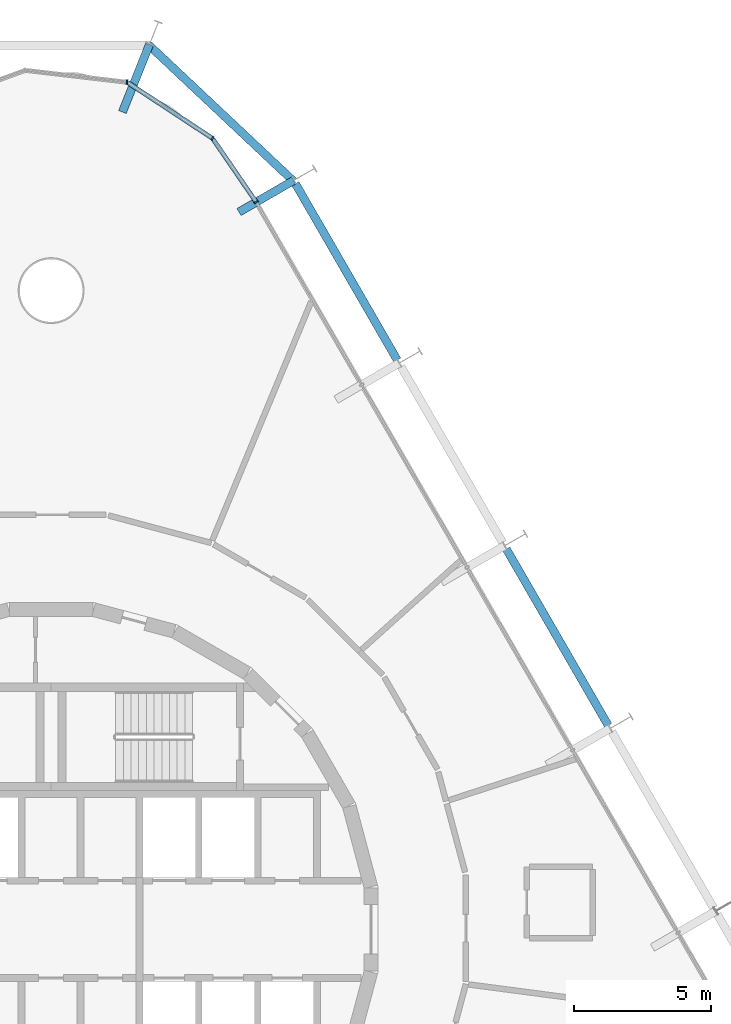
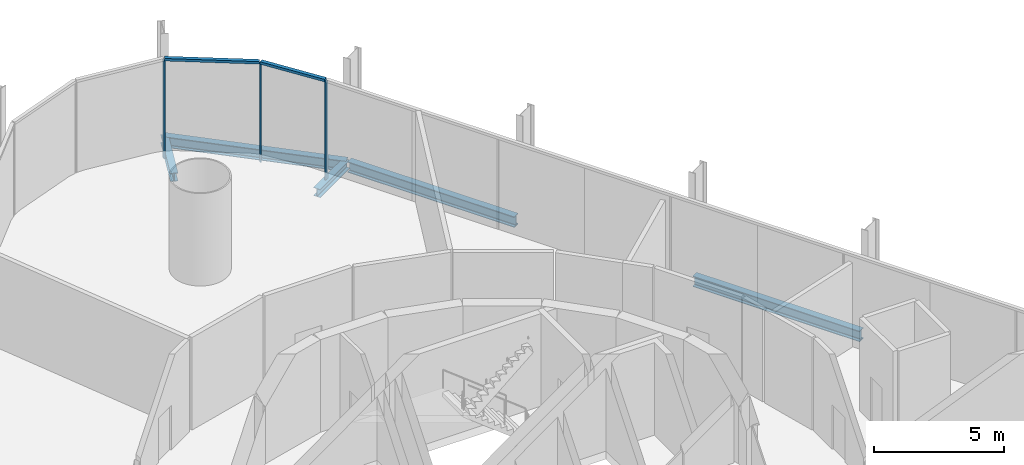
# One storey, part 11 of 17: 5 beams, 5 members, 1 element without a shape of its own.
"""IFC4 building model written with IfcOpenShell, lengths in metres."""

from ifc_helpers import new_model, si_unit, direction, frame, origin, origin_2d, place, context, subcontext, project, spatial, rectangle, i_section, extrude, material, layer, layer_set, material_profile, profile_set, type_object, element, aggregate, save


model = new_model("IFC4")

# Units and contexts
model_context = context("Model", 3, precision=1e-05, world=origin(), true_north=direction((0.0, 1.0)))
body_context = subcontext(model_context, "Body", "Model", "MODEL_VIEW")
ifc_project = project(units=[si_unit("LENGTHUNIT", "METRE"), si_unit("AREAUNIT", "SQUARE_METRE"), si_unit("VOLUMEUNIT", "CUBIC_METRE"), si_unit("PLANEANGLEUNIT", "RADIAN"), si_unit("MASSUNIT", "GRAM", prefix="KILO")], contexts=[model_context])

# Site, building, storey
site_placement = place(None, origin())
site = spatial("IfcSite", under=ifc_project, at=site_placement, CompositionType="ELEMENT")
building_placement = place(site_placement, origin())
building = spatial("IfcBuilding", under=site, at=building_placement, Name="Spindle Arch Residences", CompositionType="ELEMENT")
storey_placement = place(building_placement, frame((0.0, 0.0, 28.199951171875)))
storey = spatial("IfcBuildingStorey", under=building, at=storey_placement, Name="L05", CompositionType="ELEMENT", Elevation=28.199951171875)

# Curtain wall, members
ifc_material_1 = material(Name="Aluminium bronze unitised frame with tinted glass", Category="aluminium")
ifc_layer = layer(ifc_material_1, 0.159912109375)
ifc_layer_set = layer_set([ifc_layer], Name="CW-D corner wall on the fillet arcs")
curtain_wall_type = type_object("IfcCurtainWallType", Name="CW-D corner wall on the fillet arcs", PredefinedType="NOTDEFINED", material=ifc_layer_set)
curtain_wall_placement = place(storey_placement, origin())
curtain_wall = element("IfcCurtainWall", 1, at=curtain_wall_placement, inside=storey, type_object=curtain_wall_type, Name="CW-D L05 run 3", PredefinedType="NOTDEFINED")
ifc_material_2 = material(Name="Aluminium bronze anodised mullion", Category="aluminium")
ifc_material_profile_1 = material_profile(ifc_material_2, rectangle(XDim=0.159912109375, YDim=0.06005859375, at=origin_2d()), Name="MU 60x160")
ifc_profile_set_1 = profile_set([ifc_material_profile_1], Name="Aluminium bronze anodised mullion")
member_type_1 = type_object("IfcMemberType", Name="Bronze mullion 60x160", PredefinedType="MULLION", material=ifc_profile_set_1)
member_1_placement = place(storey_placement, frame((7.46923828125, 26.48291015625, -0.3798828125), z_axis=(0.0, 0.0, 1.0), x_axis=(-0.824747802142, -0.565500718711, 0.0)))
member_1 = element("IfcMember", 2, at=member_1_placement, type_object=member_type_1, Name="CW-D mullion 00", PredefinedType="MULLION", context=body_context, shape_type="SweptSolid", body=[
    extrude(rectangle(XDim=0.159912109375, YDim=0.06005859375, at=origin_2d()), origin(), (0.0, 0.0, 1.0), 4.60986328125),
])
member_2_placement = place(storey_placement, frame((5.877197265625, 28.8046875, -0.3798828125), z_axis=(0.0, 0.0, 1.0), x_axis=(-0.549508977628, -0.835487811704, 0.0)))
member_2 = element("IfcMember", 3, at=member_2_placement, type_object=member_type_1, Name="CW-D mullion 01", PredefinedType="MULLION", context=body_context, shape_type="SweptSolid", body=[
    extrude(rectangle(XDim=0.159912109375, YDim=0.06005859375, at=origin_2d()), origin(), (0.0, 0.0, 1.0), 4.60986328125),
])
member_3_placement = place(storey_placement, frame((2.763427734375, 30.8525390625, -0.3798828125), z_axis=(0.0, 0.0, 1.0), x_axis=(-0.116092915414, -0.993238357591, 0.0)))
member_3 = element("IfcMember", 4, at=member_3_placement, type_object=member_type_1, Name="CW-D mullion 02", PredefinedType="MULLION", context=body_context, shape_type="SweptSolid", body=[
    extrude(rectangle(XDim=0.159912109375, YDim=0.06005859375, at=origin_2d()), origin(), (0.0, 0.0, 1.0), 4.60986328125),
])
ifc_material_3 = material(Name="Aluminium bronze anodised transom", Category="aluminium")
ifc_material_profile_2 = material_profile(ifc_material_3, rectangle(XDim=0.159912109375, YDim=0.1201171875, at=origin_2d()), Name="TR 120x160")
ifc_profile_set_2 = profile_set([ifc_material_profile_2], Name="Aluminium bronze anodised transom")
member_type_2 = type_object("IfcMemberType", Name="Bronze transom 120x160", PredefinedType="USERDEFINED", material=ifc_profile_set_2)
member_4_placement = place(storey_placement, frame((7.4521484375, 26.507568359375, 4.2900390625), z_axis=(-0.565490471855, 0.824754827958, 0.0), x_axis=(-0.824754827958, -0.565490471855, 0.0)))
member_4 = element("IfcMember", 5, at=member_4_placement, type_object=member_type_2, Name="CW-D transom 00", ObjectType="TRANSOM", PredefinedType="USERDEFINED", context=body_context, shape_type="SweptSolid", body=[
    extrude(rectangle(XDim=0.159912109375, YDim=0.1201171875, at=origin_2d()), origin(), (0.0, 0.0, 1.0), 2.75537109375),
])
member_5_placement = place(storey_placement, frame((5.85205078125, 28.821044921875, 4.2900390625), z_axis=(-0.835486265536, 0.549511328456, 0.0), x_axis=(-0.549511328456, -0.835486265536, 0.0)))
member_5 = element("IfcMember", 6, at=member_5_placement, type_object=member_type_2, Name="CW-D transom 01", ObjectType="TRANSOM", PredefinedType="USERDEFINED", context=body_context, shape_type="SweptSolid", body=[
    extrude(rectangle(XDim=0.159912109375, YDim=0.1201171875, at=origin_2d()), origin(), (0.0, 0.0, 1.0), 3.666748046875),
])
aggregate(curtain_wall, [member_1, member_4, member_2, member_5, member_3])

# Beams
ifc_material_4 = material(Name="Steel S460ML, intumescent coating R 120", Category="steel")
ifc_material_profile_3 = material_profile(ifc_material_4, i_section(OverallWidth=0.300048828125, OverallDepth=0.5, WebThickness=0.014404296875, FlangeThickness=0.028076171875, FilletRadius=0.027099609375, at=origin_2d()), Name="HEB 500")
ifc_profile_set_3 = profile_set([ifc_material_profile_3], Name="Steel S460ML, intumescent coating R 120")
beam_type_1 = type_object("IfcBeamType", Name="Exoskeleton edge beam HEB 500", PredefinedType="BEAM", material=ifc_profile_set_3)
beam_1_placement = place(storey_placement, frame((20.283935546875, 7.427001953125, -0.6298828125), z_axis=(-0.500003477455, 0.866023396066, 0.0), x_axis=(-0.866023396066, -0.500003477455, 0.0)))
element("IfcBeam", 7, at=beam_1_placement, inside=storey, type_object=beam_type_1, Name="Exoskeleton edge beam 8", PredefinedType="BEAM", context=body_context, shape_type="SweptSolid", body=[
    extrude(i_section(OverallWidth=0.300048828125, OverallDepth=0.5, WebThickness=0.014404296875, FlangeThickness=0.028076171875, FilletRadius=0.027099609375, at=origin_2d()), origin(), (0.0, 0.0, 1.0), 7.419921875),
])
beam_2_placement = place(storey_placement, frame((12.60400390625, 20.729248046875, -0.6298828125), z_axis=(-0.5000139068, 0.866017374541, 0.0), x_axis=(-0.866017374541, -0.5000139068, 0.0)))
element("IfcBeam", 8, at=beam_2_placement, inside=storey, type_object=beam_type_1, Name="Exoskeleton edge beam 10", PredefinedType="BEAM", context=body_context, shape_type="SweptSolid", body=[
    extrude(i_section(OverallWidth=0.300048828125, OverallDepth=0.5, WebThickness=0.014404296875, FlangeThickness=0.028076171875, FilletRadius=0.027099609375, at=origin_2d()), origin(), (0.0, 0.0, 1.0), 7.420166015625),
])
beam_3_placement = place(storey_placement, frame((8.829345703125, 27.24169921875, -0.6298828125), z_axis=(-0.728377909202, 0.685175613538, 0.0), x_axis=(-0.685175613538, -0.728377909202, 0.0)))
element("IfcBeam", 9, at=beam_3_placement, inside=storey, type_object=beam_type_1, Name="Exoskeleton edge beam 11", PredefinedType="BEAM", context=body_context, shape_type="SweptSolid", body=[
    extrude(i_section(OverallWidth=0.300048828125, OverallDepth=0.5, WebThickness=0.014404296875, FlangeThickness=0.028076171875, FilletRadius=0.027099609375, at=origin_2d()), origin(), (0.0, 0.0, 1.0), 7.250244140625),
])
ifc_material_5 = material(Name="Steel S460ML, intumescent coating R 120", Category="steel")
ifc_material_profile_4 = material_profile(ifc_material_5, i_section(OverallWidth=0.300048828125, OverallDepth=0.389892578125, WebThickness=0.010986328125, FlangeThickness=0.01904296875, FilletRadius=0.027099609375, at=origin_2d()), Name="HEA 400")
ifc_profile_set_4 = profile_set([ifc_material_profile_4], Name="Steel S460ML, intumescent coating R 120")
beam_type_2 = type_object("IfcBeamType", Name="Floor outrigger HEA 400", PredefinedType="BEAM", material=ifc_profile_set_4)
beam_4_placement = place(storey_placement, frame((8.828857421875, 27.267822265625, -0.574951171875), z_axis=(-0.866020755578, -0.500008050843, 0.0), x_axis=(0.500008050843, -0.866020755578, 0.0)))
element("IfcBeam", 10, at=beam_4_placement, inside=storey, type_object=beam_type_2, Name="Floor outrigger 11", PredefinedType="BEAM", context=body_context, shape_type="SweptSolid", body=[
    extrude(i_section(OverallWidth=0.300048828125, OverallDepth=0.389892578125, WebThickness=0.010986328125, FlangeThickness=0.01904296875, FilletRadius=0.027099609375, at=origin_2d()), origin(), (0.0, 0.0, 1.0), 2.2939453125),
])
beam_5_placement = place(storey_placement, frame((3.581298828125, 32.220703125, -0.574951171875), z_axis=(-0.371104734129, -0.928591016706, 0.0), x_axis=(0.928591016706, -0.371104734129, 0.0)))
element("IfcBeam", 11, at=beam_5_placement, inside=storey, type_object=beam_type_2, Name="Floor outrigger 12", PredefinedType="BEAM", context=body_context, shape_type="SweptSolid", body=[
    extrude(i_section(OverallWidth=0.300048828125, OverallDepth=0.389892578125, WebThickness=0.010986328125, FlangeThickness=0.01904296875, FilletRadius=0.027099609375, at=origin_2d()), origin(), (0.0, 0.0, 1.0), 2.64990234375),
])

save(model, "model.ifc")
